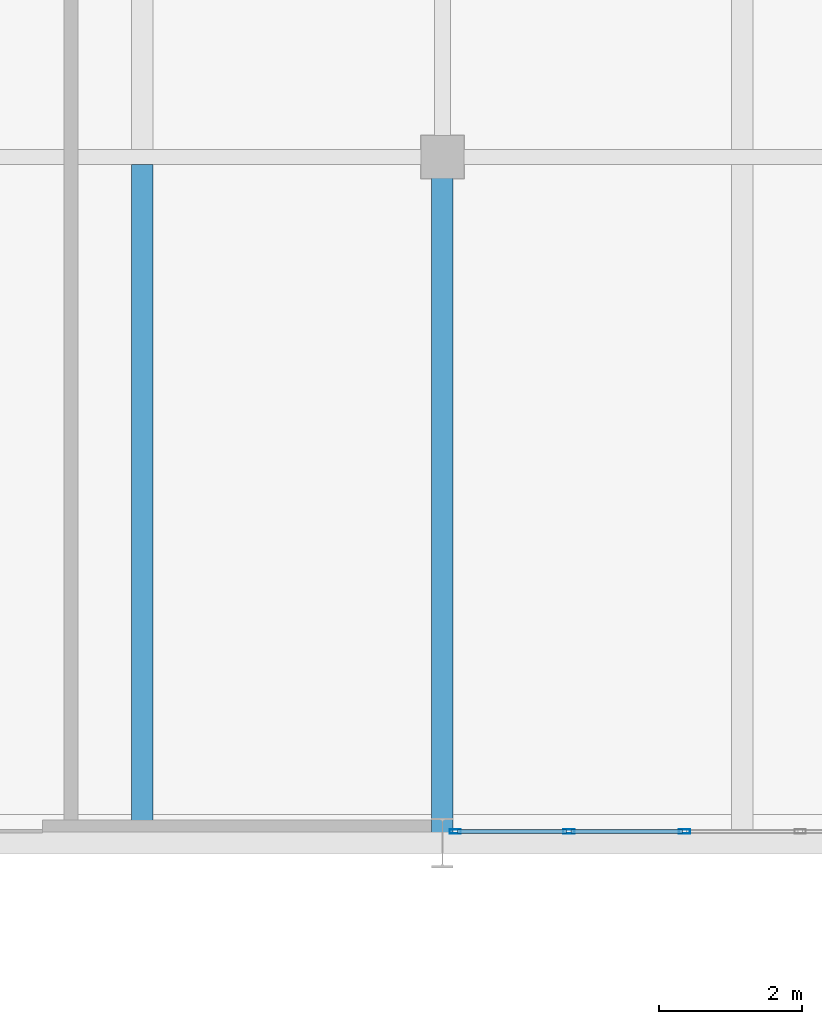
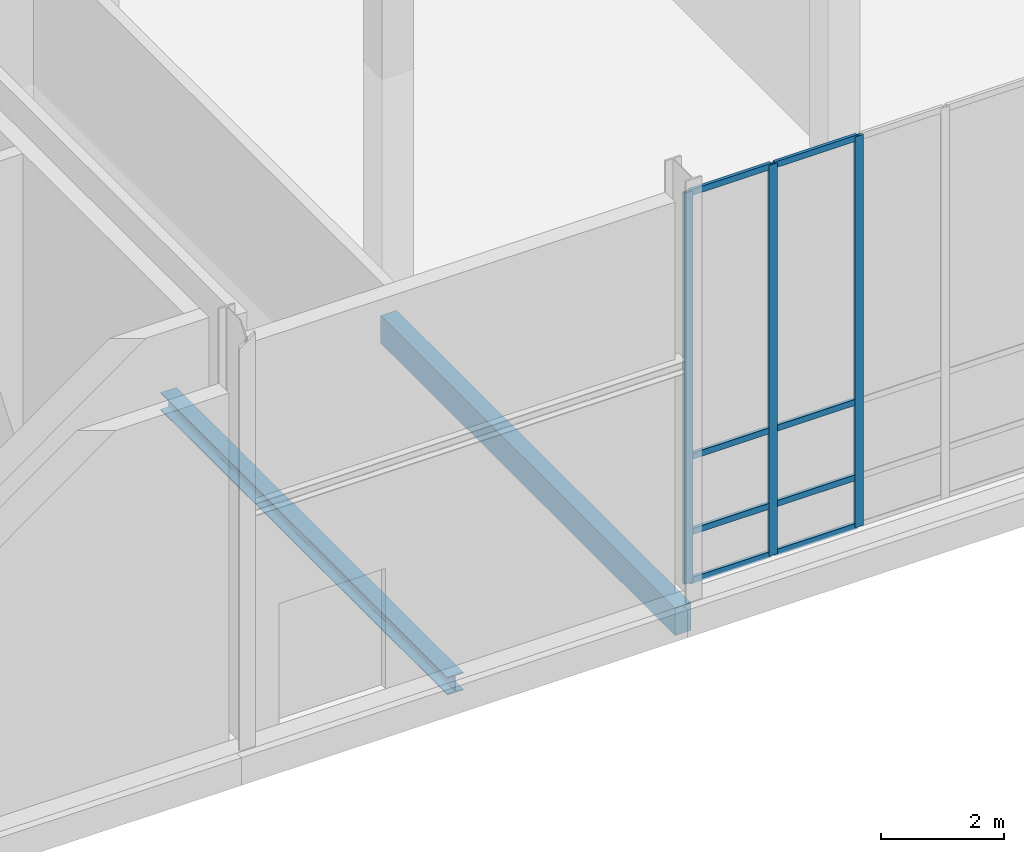
# One storey, part 28 of 131: 11 members, 2 beams, 1 element without a shape of its own.
"""IFC4 building model written with IfcOpenShell, lengths in metres."""

from ifc_helpers import new_model, si_unit, direction, frame, origin, origin_2d, place, context, subcontext, project, spatial, rectangle, hollow_rectangle, i_section, extrude, material, material_profile, profile_set, type_object, element, aggregate, save


model = new_model("IFC4")

# Units and contexts
model_context = context("Model", 3, precision=1e-05, world=origin(), true_north=direction((0.0, 1.0)))
body_context = subcontext(model_context, "Body", "Model", "MODEL_VIEW")
ifc_project = project(units=[si_unit("LENGTHUNIT", "METRE"), si_unit("AREAUNIT", "SQUARE_METRE"), si_unit("VOLUMEUNIT", "CUBIC_METRE"), si_unit("PLANEANGLEUNIT", "RADIAN"), si_unit("MASSUNIT", "GRAM", prefix="KILO")], contexts=[model_context])

# Site, building, storey
site_placement = place(None, origin())
site = spatial("IfcSite", under=ifc_project, at=site_placement, CompositionType="ELEMENT")
building_placement = place(site_placement, origin())
building = spatial("IfcBuilding", under=site, at=building_placement, Name="Veltarok Museum of Natural Sciences", CompositionType="ELEMENT")
storey_placement = place(building_placement, origin())
storey = spatial("IfcBuildingStorey", under=building, at=storey_placement, Name="L00", CompositionType="ELEMENT", Elevation=0.0)

# Curtain wall, members
ifc_material_1 = material(Name="Low-iron triple insulated glass", Category="glass")
curtain_wall_type = type_object("IfcCurtainWallType", Name="Curtain Wall System CW-V5S-L00-15-810x778 (V5 South Lab Curtain Wall L00 15-16 810x778cm)", PredefinedType="NOTDEFINED", material=ifc_material_1)
curtain_wall_placement = place(storey_placement, origin())
curtain_wall = element("IfcCurtainWall", 1, at=curtain_wall_placement, inside=storey, type_object=curtain_wall_type, Name="Curtain Wall CW-V5S-L00-15-810x778 CW-0086", PredefinedType="NOTDEFINED")
ifc_material_2 = material(Name="Thermally broken anodised aluminium", Category="aluminium")
ifc_material_profile_1 = material_profile(ifc_material_2, hollow_rectangle(XDim=0.06005859375, YDim=0.1201171875, WallThickness=0.0048828125, at=origin_2d()), Name="CW TRANSOM 60x120x5")
ifc_profile_set_1 = profile_set([ifc_material_profile_1], Name="Thermally broken anodised aluminium")
member_type_1 = type_object("IfcMemberType", Name="Curtain Wall Horizontal Transom 60x120x5", PredefinedType="USERDEFINED", material=ifc_profile_set_1)
member_1_placement = place(storey_placement, frame((124.2099609375, 0.159912109375, 0.030029296875), z_axis=(1.0, 0.0, 0.0), x_axis=(0.0, 1.0, 0.0)))
member_1 = element("IfcMember", 2, at=member_1_placement, type_object=member_type_1, Name="CW-V5S-L00-15-810x778 transom 1.1", ObjectType="TRANSOM", PredefinedType="USERDEFINED", context=body_context, shape_type="SweptSolid", body=[
    extrude(hollow_rectangle(XDim=0.06005859375, YDim=0.1201171875, WallThickness=0.0048828125, at=origin_2d()), origin(), (0.0, 0.0, 1.0), 1.530029296875),
])
member_2_placement = place(storey_placement, frame((124.2099609375, 0.159912109375, 1.0), z_axis=(1.0, 0.0, 0.0), x_axis=(0.0, 1.0, 0.0)))
member_2 = element("IfcMember", 3, at=member_2_placement, type_object=member_type_1, Name="CW-V5S-L00-15-810x778 transom 1.2", ObjectType="TRANSOM", PredefinedType="USERDEFINED", context=body_context, shape_type="SweptSolid", body=[
    extrude(hollow_rectangle(XDim=0.06005859375, YDim=0.1201171875, WallThickness=0.0048828125, at=origin_2d()), origin(), (0.0, 0.0, 1.0), 1.530029296875),
])
member_3_placement = place(storey_placement, frame((124.2099609375, 0.159912109375, 2.5), z_axis=(1.0, 0.0, 0.0), x_axis=(0.0, 1.0, 0.0)))
member_3 = element("IfcMember", 4, at=member_3_placement, type_object=member_type_1, Name="CW-V5S-L00-15-810x778 transom 1.3", ObjectType="TRANSOM", PredefinedType="USERDEFINED", context=body_context, shape_type="SweptSolid", body=[
    extrude(hollow_rectangle(XDim=0.06005859375, YDim=0.1201171875, WallThickness=0.0048828125, at=origin_2d()), origin(), (0.0, 0.0, 1.0), 1.530029296875),
])
member_4_placement = place(storey_placement, frame((124.2099609375, 0.159912109375, 7.75), z_axis=(1.0, 0.0, 0.0), x_axis=(0.0, 1.0, 0.0)))
member_4 = element("IfcMember", 5, at=member_4_placement, type_object=member_type_1, Name="CW-V5S-L00-15-810x778 transom 1.4", ObjectType="TRANSOM", PredefinedType="USERDEFINED", context=body_context, shape_type="SweptSolid", body=[
    extrude(hollow_rectangle(XDim=0.06005859375, YDim=0.1201171875, WallThickness=0.0048828125, at=origin_2d()), origin(), (0.0, 0.0, 1.0), 1.530029296875),
])
member_5_placement = place(storey_placement, frame((125.800048828125, 0.159912109375, 0.030029296875), z_axis=(1.0, 0.0, 0.0), x_axis=(0.0, 1.0, 0.0)))
member_5 = element("IfcMember", 6, at=member_5_placement, type_object=member_type_1, Name="CW-V5S-L00-15-810x778 transom 2.1", ObjectType="TRANSOM", PredefinedType="USERDEFINED", context=body_context, shape_type="SweptSolid", body=[
    extrude(hollow_rectangle(XDim=0.06005859375, YDim=0.1201171875, WallThickness=0.0048828125, at=origin_2d()), origin(), (0.0, 0.0, 1.0), 1.56005859375),
])
member_6_placement = place(storey_placement, frame((125.800048828125, 0.159912109375, 1.0), z_axis=(1.0, 0.0, 0.0), x_axis=(0.0, 1.0, 0.0)))
member_6 = element("IfcMember", 7, at=member_6_placement, type_object=member_type_1, Name="CW-V5S-L00-15-810x778 transom 2.2", ObjectType="TRANSOM", PredefinedType="USERDEFINED", context=body_context, shape_type="SweptSolid", body=[
    extrude(hollow_rectangle(XDim=0.06005859375, YDim=0.1201171875, WallThickness=0.0048828125, at=origin_2d()), origin(), (0.0, 0.0, 1.0), 1.56005859375),
])
member_7_placement = place(storey_placement, frame((125.800048828125, 0.159912109375, 2.5), z_axis=(1.0, 0.0, 0.0), x_axis=(0.0, 1.0, 0.0)))
member_7 = element("IfcMember", 8, at=member_7_placement, type_object=member_type_1, Name="CW-V5S-L00-15-810x778 transom 2.3", ObjectType="TRANSOM", PredefinedType="USERDEFINED", context=body_context, shape_type="SweptSolid", body=[
    extrude(hollow_rectangle(XDim=0.06005859375, YDim=0.1201171875, WallThickness=0.0048828125, at=origin_2d()), origin(), (0.0, 0.0, 1.0), 1.56005859375),
])
member_8_placement = place(storey_placement, frame((125.800048828125, 0.159912109375, 7.75), z_axis=(1.0, 0.0, 0.0), x_axis=(0.0, 1.0, 0.0)))
member_8 = element("IfcMember", 9, at=member_8_placement, type_object=member_type_1, Name="CW-V5S-L00-15-810x778 transom 2.4", ObjectType="TRANSOM", PredefinedType="USERDEFINED", context=body_context, shape_type="SweptSolid", body=[
    extrude(hollow_rectangle(XDim=0.06005859375, YDim=0.1201171875, WallThickness=0.0048828125, at=origin_2d()), origin(), (0.0, 0.0, 1.0), 1.56005859375),
])
ifc_material_profile_2 = material_profile(ifc_material_2, hollow_rectangle(XDim=0.06005859375, YDim=0.159912109375, WallThickness=0.0048828125, at=origin_2d()), Name="CW MULLION 60x160x5")
ifc_profile_set_2 = profile_set([ifc_material_profile_2], Name="Thermally broken anodised aluminium")
member_type_2 = type_object("IfcMemberType", Name="Curtain Wall Vertical Mullion 60x160x5", PredefinedType="MULLION", material=ifc_profile_set_2)
member_9_placement = place(storey_placement, frame((124.179931640625, 0.159912109375, 0.0), z_axis=(0.0, 0.0, 1.0), x_axis=(0.0, 1.0, 0.0)))
member_9 = element("IfcMember", 10, at=member_9_placement, type_object=member_type_2, Name="CW-V5S-L00-15-810x778 mullion 1", PredefinedType="MULLION", context=body_context, shape_type="SweptSolid", body=[
    extrude(hollow_rectangle(XDim=0.06005859375, YDim=0.159912109375, WallThickness=0.0048828125, at=origin_2d()), origin(), (0.0, 0.0, 1.0), 7.780029296875),
])
member_10_placement = place(storey_placement, frame((125.77001953125, 0.159912109375, 0.0), z_axis=(0.0, 0.0, 1.0), x_axis=(0.0, 1.0, 0.0)))
member_10 = element("IfcMember", 11, at=member_10_placement, type_object=member_type_2, Name="CW-V5S-L00-15-810x778 mullion 2", PredefinedType="MULLION", context=body_context, shape_type="SweptSolid", body=[
    extrude(hollow_rectangle(XDim=0.06005859375, YDim=0.159912109375, WallThickness=0.0048828125, at=origin_2d()), origin(), (0.0, 0.0, 1.0), 7.780029296875),
])
member_11_placement = place(storey_placement, frame((127.389892578125, 0.159912109375, 0.0), z_axis=(0.0, 0.0, 1.0), x_axis=(0.0, 1.0, 0.0)))
member_11 = element("IfcMember", 12, at=member_11_placement, type_object=member_type_2, Name="CW-V5S-L00-15-810x778 mullion 3", PredefinedType="MULLION", context=body_context, shape_type="SweptSolid", body=[
    extrude(hollow_rectangle(XDim=0.06005859375, YDim=0.159912109375, WallThickness=0.0048828125, at=origin_2d()), origin(), (0.0, 0.0, 1.0), 7.780029296875),
])
aggregate(curtain_wall, [member_9, member_10, member_11, member_1, member_2, member_3, member_4, member_5, member_6, member_7, member_8])

# Beams
ifc_material_3 = material(Name="Precast concrete C40/50", Category="concrete")
ifc_material_profile_3 = material_profile(ifc_material_3, rectangle(XDim=0.300048828125, YDim=0.550048828125, at=origin_2d()), Name="RC 300x550")
ifc_profile_set_3 = profile_set([ifc_material_profile_3], Name="Precast concrete C40/50")
beam_type_1 = type_object("IfcBeamType", Name="East Wing Precast Spandrel RC 300x550", PredefinedType="SPANDREL", material=ifc_profile_set_3)
beam_1_placement = place(storey_placement, frame((124.0, 0.0, -0.574951171875), z_axis=(0.0, 1.0, 0.0), x_axis=(-1.0, 0.0, 0.0)))
element("IfcBeam", 13, at=beam_1_placement, inside=storey, type_object=beam_type_1, Name="Beam BM-SP02 L00 15/A-B", PredefinedType="SPANDREL", context=body_context, shape_type="SweptSolid", body=[
    extrude(rectangle(XDim=0.300048828125, YDim=0.550048828125, at=origin_2d()), origin(), (0.0, 0.0, 1.0), 9.60009765625),
])
ifc_material_4 = material(Name="Steel S355J2", Category="steel")
ifc_material_profile_4 = material_profile(ifc_material_4, i_section(OverallWidth=0.300048828125, OverallDepth=0.35009765625, WebThickness=0.010009765625, FlangeThickness=0.017578125, FilletRadius=0.027099609375, at=origin_2d()), Name="HEA 360")
ifc_profile_set_4 = profile_set([ifc_material_profile_4], Name="Steel S355J2")
beam_type_2 = type_object("IfcBeamType", Name="Long-Span Gallery Joist HEA 360", PredefinedType="JOIST", material=ifc_profile_set_4)
beam_2_placement = place(storey_placement, frame((119.800048828125, 0.14794921875, -0.47509765625), z_axis=(0.0, 1.0, 0.0), x_axis=(-1.0, 0.0, 0.0)))
element("IfcBeam", 14, at=beam_2_placement, inside=storey, type_object=beam_type_2, Name="Secondary Joist BM-J07 L00 14-15/A-B.1", PredefinedType="JOIST", context=body_context, shape_type="SweptSolid", body=[
    extrude(i_section(OverallWidth=0.300048828125, OverallDepth=0.35009765625, WebThickness=0.010009765625, FlangeThickness=0.017578125, FilletRadius=0.027099609375, at=origin_2d()), origin(), (0.0, 0.0, 1.0), 9.34912109375),
])

save(model, "model.ifc")
